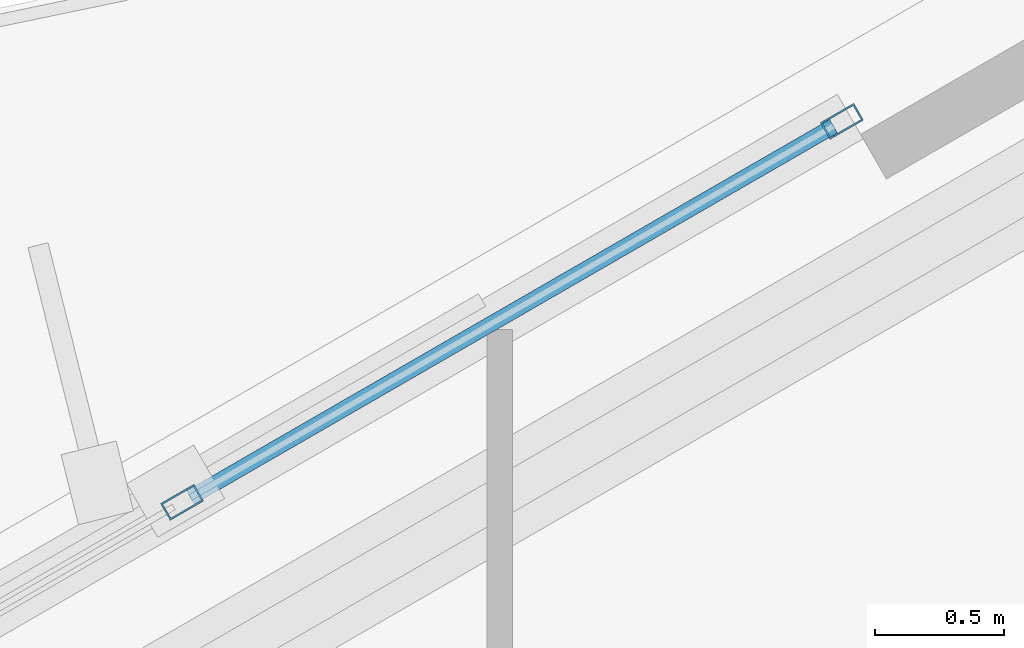
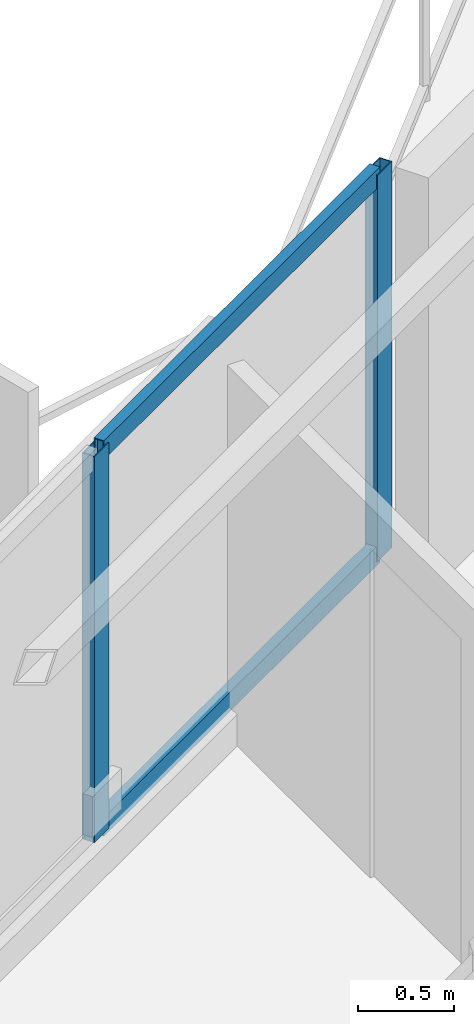
# One storey, part 9 of 18: 4 members, 1 element without a shape of its own.
"""IFC4 building model written with IfcOpenShell, lengths in metres."""

from ifc_helpers import new_model, si_unit, direction, frame, origin, origin_2d, place, context, subcontext, project, spatial, hollow_rectangle, extrude, material, layer, layer_set, material_profile, profile_set, type_object, element, aggregate, save


model = new_model("IFC4")

# Units and contexts
model_context = context("Model", 3, precision=1e-05, world=origin(), true_north=direction((0.0, 1.0)))
body_context = subcontext(model_context, "Body", "Model", "MODEL_VIEW")
ifc_project = project(units=[si_unit("LENGTHUNIT", "METRE"), si_unit("AREAUNIT", "SQUARE_METRE"), si_unit("VOLUMEUNIT", "CUBIC_METRE"), si_unit("PLANEANGLEUNIT", "RADIAN"), si_unit("MASSUNIT", "GRAM", prefix="KILO")], contexts=[model_context])

# Site, building, storey
site_placement = place(None, origin())
site = spatial("IfcSite", under=ifc_project, at=site_placement, CompositionType="ELEMENT")
building_placement = place(site_placement, origin())
building = spatial("IfcBuilding", under=site, at=building_placement, Name="Mersakhor Tower and Convention Hall", CompositionType="ELEMENT")
storey_placement = place(building_placement, frame((0.0, 0.0, 35.699951171875)))
storey = spatial("IfcBuildingStorey", under=building, at=storey_placement, Name="L09", CompositionType="ELEMENT", Elevation=35.699951171875)

# Curtain wall, members
ifc_material_1 = material(Name="Dark solar low-E aluminium curtain wall", Category="aluminium")
ifc_layer = layer(ifc_material_1, 0.159912109375)
ifc_layer_set = layer_set([ifc_layer], Name="Dark solar low-E aluminium curtain wall")
curtain_wall_type = type_object("IfcCurtainWallType", Name="CW-SYS-01", PredefinedType="USERDEFINED", material=ifc_layer_set)
curtain_wall_placement = place(storey_placement, origin())
curtain_wall = element("IfcCurtainWall", 1, at=curtain_wall_placement, inside=storey, type_object=curtain_wall_type, Name="L09 Dark-Glass Curtain Wall F1-B2", ObjectType="CURTAIN WALL", PredefinedType="USERDEFINED")
ifc_material_2 = material(Name="Anodised aluminium EN AW-6063 T6", Category="aluminium")
ifc_material_profile_1 = material_profile(ifc_material_2, hollow_rectangle(XDim=0.074951171875, YDim=0.14990234375, WallThickness=0.00634765625, at=origin_2d()), Name="RHS 150x75x6.3")
ifc_profile_set_1 = profile_set([ifc_material_profile_1], Name="Anodised aluminium EN AW-6063 T6")
member_type_1 = type_object("IfcMemberType", Name="CWM-150x75", PredefinedType="MULLION", material=ifc_profile_set_1)
member_1_placement = place(storey_placement, frame((24.167236328125, 41.107177734375, 0.199951171875), z_axis=(0.0, 0.0, 1.0), x_axis=(-0.50000344889, 0.866023412558, 0.0)))
member_1 = element("IfcMember", 2, at=member_1_placement, type_object=member_type_1, Name="CW-01 mullion 4", PredefinedType="MULLION", context=body_context, shape_type="SweptSolid", body=[
    extrude(hollow_rectangle(XDim=0.074951171875, YDim=0.14990234375, WallThickness=0.00634765625, at=origin_2d()), origin(), (0.0, 0.0, 1.0), 2.460205078125),
])
member_2_placement = place(storey_placement, frame((26.72705078125, 42.5849609375, 0.199951171875), z_axis=(0.0, 0.0, 1.0), x_axis=(-0.50000344889, 0.866023412558, 0.0)))
member_2 = element("IfcMember", 3, at=member_2_placement, type_object=member_type_1, Name="CW-01 mullion 5", PredefinedType="MULLION", context=body_context, shape_type="SweptSolid", body=[
    extrude(hollow_rectangle(XDim=0.074951171875, YDim=0.14990234375, WallThickness=0.00634765625, at=origin_2d()), origin(), (0.0, 0.0, 1.0), 2.460205078125),
])
ifc_material_3 = material(Name="Anodised aluminium EN AW-6063 T6", Category="aluminium")
ifc_material_profile_2 = material_profile(ifc_material_3, hollow_rectangle(XDim=0.06005859375, YDim=0.1201171875, WallThickness=0.0048828125, at=origin_2d()), Name="RHS 120x60x5")
ifc_profile_set_2 = profile_set([ifc_material_profile_2], Name="Anodised aluminium EN AW-6063 T6")
member_type_2 = type_object("IfcMemberType", Name="CWT-120x60", PredefinedType="USERDEFINED", material=ifc_profile_set_2)
member_3_placement = place(storey_placement, frame((24.19970703125, 41.1259765625, 0.22998046875), z_axis=(0.866023290103, 0.500003660985, 0.0), x_axis=(-0.500003660985, 0.866023290103, 0.0)))
member_3 = element("IfcMember", 4, at=member_3_placement, type_object=member_type_2, Name="CW-01 transom 4.1", ObjectType="TRANSOM", PredefinedType="USERDEFINED", context=body_context, shape_type="SweptSolid", body=[
    extrude(hollow_rectangle(XDim=0.06005859375, YDim=0.1201171875, WallThickness=0.0048828125, at=origin_2d()), origin(), (0.0, 0.0, 1.0), 2.880859375),
])
member_4_placement = place(storey_placement, frame((24.19970703125, 41.1259765625, 2.630126953125), z_axis=(0.866023290103, 0.500003660985, 0.0), x_axis=(-0.500003660985, 0.866023290103, 0.0)))
member_4 = element("IfcMember", 5, at=member_4_placement, type_object=member_type_2, Name="CW-01 transom 4.2", ObjectType="TRANSOM", PredefinedType="USERDEFINED", context=body_context, shape_type="SweptSolid", body=[
    extrude(hollow_rectangle(XDim=0.06005859375, YDim=0.1201171875, WallThickness=0.0048828125, at=origin_2d()), origin(), (0.0, 0.0, 1.0), 2.880859375),
])
aggregate(curtain_wall, [member_1, member_2, member_3, member_4])

save(model, "model.ifc")
